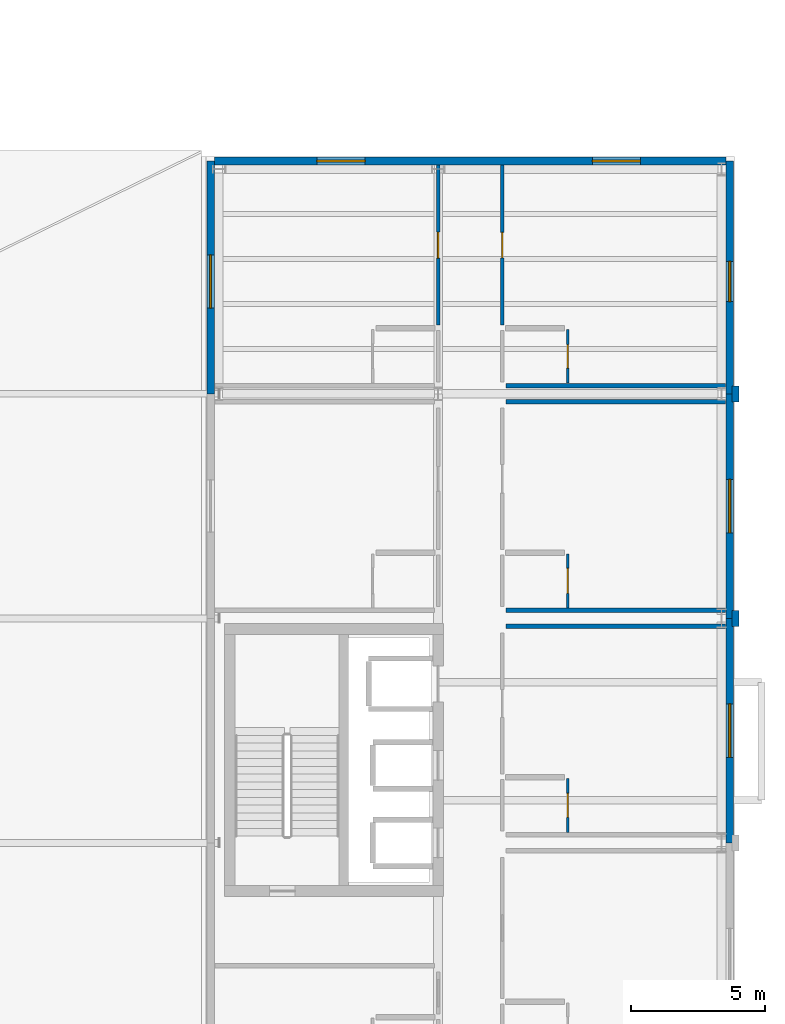
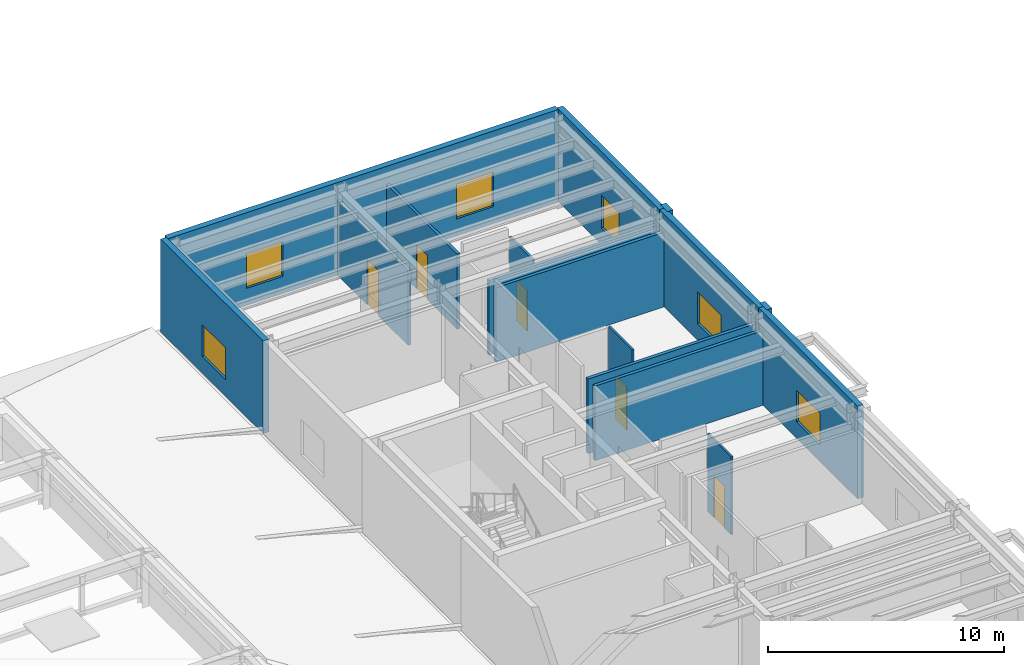
# One storey, part 81 of 91: 16 walls, 6 windows, 5 doors, 11 openings.
"""IFC4 building model written with IfcOpenShell, lengths in metres."""

from ifc_helpers import new_model, si_unit, direction, frame, frame_2d, origin, place, context, subcontext, project, spatial, rectangle, extrude, material, layer, layer_set, type_object, element, fill, save


model = new_model("IFC4")

# Units and contexts
model_context = context("Model", 3, precision=1e-05, world=origin(), true_north=direction((0.0, 1.0)))
body_context = subcontext(model_context, "Body", "Model", "MODEL_VIEW")
ifc_project = project(units=[si_unit("LENGTHUNIT", "METRE"), si_unit("AREAUNIT", "SQUARE_METRE"), si_unit("VOLUMEUNIT", "CUBIC_METRE"), si_unit("PLANEANGLEUNIT", "RADIAN"), si_unit("MASSUNIT", "GRAM", prefix="KILO")], contexts=[model_context])

# Site, building, storey
site_placement = place(None, origin())
site = spatial("IfcSite", under=ifc_project, at=site_placement, CompositionType="ELEMENT")
building_placement = place(site_placement, origin())
building = spatial("IfcBuilding", under=site, at=building_placement, Name="Sollismere Congress Hotel", CompositionType="ELEMENT")
storey_placement = place(building_placement, frame((0.0, 0.0, 10.800048828125)))
storey = spatial("IfcBuildingStorey", under=building, at=storey_placement, Name="L02", CompositionType="ELEMENT", Elevation=10.800048828125)

# Wall, opening, window
ifc_material_1 = material(Name="Colorado Buff Sandstone Rainscreen on Insulated Backup", Category="masonry")
ifc_layer_1 = layer(ifc_material_1, 0.284912109375, Name="Colorado Buff Sandstone Rainscreen on Insulated Backup")
ifc_layer_set_1 = layer_set([ifc_layer_1], Name="Colorado Buff Sandstone Rainscreen on Insulated Backup")
wall_type_1 = type_object("IfcWallType", Name="WL-EXT285", PredefinedType="STANDARD", material=ifc_layer_set_1)
wall_1_placement = place(storey_placement, frame((166.31005859375, 41.60009765625, 0.0), z_axis=(0.0, 0.0, 1.0), x_axis=(0.0, 1.0, 0.0)))
wall_1 = element("IfcWall", 1, at=wall_1_placement, inside=storey, type_object=wall_type_1, Name="Exterior wall EW-L02-364", PredefinedType="STANDARD", context=body_context, shape_type="SweptSolid", body=[
    extrude(rectangle(XDim=8.39990234375, YDim=0.284912109375, at=frame_2d((4.199951171875, 0.0))), origin(), (0.0, 0.0, 1.0), 4.800048828125),
])
opening_1_placement = place(wall_1_placement, frame((3.199951171875, 0.0, 0.85009765625)))
opening_1 = element("IfcOpeningElement", 2, at=opening_1_placement, cuts=wall_1, Name="Opening W-L02-288", PredefinedType="OPENING", context=body_context, shape_type="SweptSolid", body=[
    extrude(rectangle(XDim=2.0, YDim=1.64990234375, at=frame_2d((1.0, 0.824951171875))), frame((0.0, 0.15234375, 0.0), z_axis=(0.0, -1.0, 0.0), x_axis=(1.0, 0.0, 0.0)), (0.0, 0.0, 1.0), 0.304931640625),
])
ifc_material_2 = material(Name="Thermally Broken Bronze Aluminum & Low-E Glass", Category="aluminium")
window_type_1 = type_object("IfcWindowType", Name="WN-P200x165", PartitioningType="SINGLE_PANEL", PredefinedType="WINDOW", material=ifc_material_2)
window_1_placement = place(opening_1_placement, origin())
window_1 = element("IfcWindow", 3, at=window_1_placement, inside=storey, type_object=window_type_1, Name="WIN-W-L02-288", OverallHeight=1.64990234375, OverallWidth=2.0, PartitioningType="SINGLE_PANEL", PredefinedType="WINDOW", context=body_context, shape_type="SweptSolid", body=[
    extrude(rectangle(XDim=2.0, YDim=1.64990234375, at=frame_2d((1.0, 0.824951171875))), frame((0.0, 0.030029296875, 0.0), z_axis=(0.0, -1.0, 0.0), x_axis=(1.0, 0.0, 0.0)), (0.0, 0.0, 1.0), 0.06005859375),
])
fill(opening_1, window_1)

wall_2_placement = place(storey_placement, frame((166.31005859375, 50.0, 0.0), z_axis=(0.0, 0.0, 1.0), x_axis=(0.0, 1.0, 0.0)))
wall_2 = element("IfcWall", 4, at=wall_2_placement, inside=storey, type_object=wall_type_1, Name="Exterior wall EW-L02-366", PredefinedType="STANDARD", context=body_context, shape_type="SweptSolid", body=[
    extrude(rectangle(XDim=8.39990234375, YDim=0.284912109375, at=frame_2d((4.199951171875, 0.0))), origin(), (0.0, 0.0, 1.0), 4.800048828125),
])
opening_2_placement = place(wall_2_placement, frame((3.199951171875, 0.0, 0.85009765625)))
opening_2 = element("IfcOpeningElement", 5, at=opening_2_placement, cuts=wall_2, Name="Opening W-L02-289", PredefinedType="OPENING", context=body_context, shape_type="SweptSolid", body=[
    extrude(rectangle(XDim=2.0, YDim=1.64990234375, at=frame_2d((1.0, 0.824951171875))), frame((0.0, 0.15234375, 0.0), z_axis=(0.0, -1.0, 0.0), x_axis=(1.0, 0.0, 0.0)), (0.0, 0.0, 1.0), 0.304931640625),
])
window_2_placement = place(opening_2_placement, origin())
window_2 = element("IfcWindow", 6, at=window_2_placement, inside=storey, type_object=window_type_1, Name="WIN-W-L02-289", OverallHeight=1.64990234375, OverallWidth=2.0, PartitioningType="SINGLE_PANEL", PredefinedType="WINDOW", context=body_context, shape_type="SweptSolid", body=[
    extrude(rectangle(XDim=2.0, YDim=1.64990234375, at=frame_2d((1.0, 0.824951171875))), frame((0.0, 0.030029296875, 0.0), z_axis=(0.0, -1.0, 0.0), x_axis=(1.0, 0.0, 0.0)), (0.0, 0.0, 1.0), 0.06005859375),
])
fill(opening_2, window_2)

wall_3_placement = place(storey_placement, frame((166.31005859375, 58.39990234375, 0.0), z_axis=(0.0, 0.0, 1.0), x_axis=(0.0, 1.0, 0.0)))
wall_3 = element("IfcWall", 7, at=wall_3_placement, inside=storey, type_object=wall_type_1, Name="Exterior wall EW-L02-368", PredefinedType="STANDARD", context=body_context, shape_type="SweptSolid", body=[
    extrude(rectangle(XDim=8.710205078125, YDim=0.284912109375, at=frame_2d((4.35498046875, 0.0))), origin(), (0.0, 0.0, 1.0), 4.800048828125),
])
opening_3_placement = place(wall_3_placement, frame((3.449951171875, 0.0, 0.85009765625)))
opening_3 = element("IfcOpeningElement", 8, at=opening_3_placement, cuts=wall_3, Name="Opening W-L02-290", PredefinedType="OPENING", context=body_context, shape_type="SweptSolid", body=[
    extrude(rectangle(XDim=1.5, YDim=1.699951171875, at=frame_2d((0.75, 0.85009765625))), frame((0.0, 0.15234375, 0.0), z_axis=(0.0, -1.0, 0.0), x_axis=(1.0, 0.0, 0.0)), (0.0, 0.0, 1.0), 0.304931640625),
])
window_type_2 = type_object("IfcWindowType", Name="WN-P150x170", PartitioningType="SINGLE_PANEL", PredefinedType="WINDOW", material=ifc_material_2)
window_3_placement = place(opening_3_placement, origin())
window_3 = element("IfcWindow", 9, at=window_3_placement, inside=storey, type_object=window_type_2, Name="WIN-W-L02-290", OverallHeight=1.699951171875, OverallWidth=1.5, PartitioningType="SINGLE_PANEL", PredefinedType="WINDOW", context=body_context, shape_type="SweptSolid", body=[
    extrude(rectangle(XDim=1.5, YDim=1.699951171875, at=frame_2d((0.75, 0.85009765625))), frame((0.0, 0.030029296875, 0.0), z_axis=(0.0, -1.0, 0.0), x_axis=(1.0, 0.0, 0.0)), (0.0, 0.0, 1.0), 0.06005859375),
])
fill(opening_3, window_3)

wall_4_placement = place(storey_placement, frame((146.889892578125, 58.39990234375, 0.0), z_axis=(0.0, 0.0, 1.0), x_axis=(0.0, 1.0, 0.0)))
wall_4 = element("IfcWall", 10, at=wall_4_placement, inside=storey, type_object=wall_type_1, Name="Exterior wall EW-L02-386", PredefinedType="STANDARD", context=body_context, shape_type="SweptSolid", body=[
    extrude(rectangle(XDim=8.710205078125, YDim=0.284912109375, at=frame_2d((4.35498046875, 0.0))), origin(), (0.0, 0.0, 1.0), 4.800048828125),
])
opening_4_placement = place(wall_4_placement, frame((3.199951171875, 0.0, 0.85009765625)))
opening_4 = element("IfcOpeningElement", 11, at=opening_4_placement, cuts=wall_4, Name="Opening W-L02-304", PredefinedType="OPENING", context=body_context, shape_type="SweptSolid", body=[
    extrude(rectangle(XDim=2.0, YDim=1.64990234375, at=frame_2d((1.0, 0.824951171875))), frame((0.0, 0.15234375, 0.0), z_axis=(0.0, -1.0, 0.0), x_axis=(1.0, 0.0, 0.0)), (0.0, 0.0, 1.0), 0.304931640625),
])
window_4_placement = place(opening_4_placement, origin())
window_4 = element("IfcWindow", 12, at=window_4_placement, inside=storey, type_object=window_type_1, Name="WIN-W-L02-304", OverallHeight=1.64990234375, OverallWidth=2.0, PartitioningType="SINGLE_PANEL", PredefinedType="WINDOW", context=body_context, shape_type="SweptSolid", body=[
    extrude(rectangle(XDim=2.0, YDim=1.64990234375, at=frame_2d((1.0, 0.824951171875))), frame((0.0, 0.030029296875, 0.0), z_axis=(0.0, -1.0, 0.0), x_axis=(1.0, 0.0, 0.0)), (0.0, 0.0, 1.0), 0.06005859375),
])
fill(opening_4, window_4)

# Wall, openings, windows
wall_5_placement = place(storey_placement, frame((166.16552734375, 67.110107421875, 0.0), z_axis=(0.0, 0.0, 1.0), x_axis=(-1.0, 0.0, 0.0)))
wall_5 = element("IfcWall", 13, at=wall_5_placement, inside=storey, type_object=wall_type_1, Name="Exterior wall EW-L02-389", PredefinedType="STANDARD", context=body_context, shape_type="SweptSolid", body=[
    extrude(rectangle(XDim=19.131103515625, YDim=0.284912109375, at=frame_2d((9.5654296875, 0.0))), origin(), (0.0, 0.0, 1.0), 4.800048828125),
])
opening_5_placement = place(wall_5_placement, frame((3.199951171875, 0.0, 0.8798828125)))
opening_5 = element("IfcOpeningElement", 14, at=opening_5_placement, cuts=wall_5, Name="Opening W-L02-307", PredefinedType="OPENING", context=body_context, shape_type="SweptSolid", body=[
    extrude(rectangle(XDim=1.800048828125, YDim=1.800048828125, at=frame_2d((0.89990234375, 0.89990234375))), frame((0.0, 0.15234375, 0.0), z_axis=(0.0, -1.0, 0.0), x_axis=(1.0, 0.0, 0.0)), (0.0, 0.0, 1.0), 0.304931640625),
])
opening_6_placement = place(wall_5_placement, frame((13.5, 0.0, 0.8798828125)))
opening_6 = element("IfcOpeningElement", 15, at=opening_6_placement, cuts=wall_5, Name="Opening W-L02-308", PredefinedType="OPENING", context=body_context, shape_type="SweptSolid", body=[
    extrude(rectangle(XDim=1.800048828125, YDim=1.800048828125, at=frame_2d((0.89990234375, 0.89990234375))), frame((0.0, 0.15234375, 0.0), z_axis=(0.0, -1.0, 0.0), x_axis=(1.0, 0.0, 0.0)), (0.0, 0.0, 1.0), 0.304931640625),
])
window_type_3 = type_object("IfcWindowType", Name="WN-P180x180", PartitioningType="SINGLE_PANEL", PredefinedType="WINDOW", material=ifc_material_2)
window_5_placement = place(opening_5_placement, origin())
window_5 = element("IfcWindow", 16, at=window_5_placement, inside=storey, type_object=window_type_3, Name="WIN-W-L02-307", OverallHeight=1.800048828125, OverallWidth=1.800048828125, PartitioningType="SINGLE_PANEL", PredefinedType="WINDOW", context=body_context, shape_type="SweptSolid", body=[
    extrude(rectangle(XDim=1.800048828125, YDim=1.800048828125, at=frame_2d((0.89990234375, 0.89990234375))), frame((0.0, 0.030029296875, 0.0), z_axis=(0.0, -1.0, 0.0), x_axis=(1.0, 0.0, 0.0)), (0.0, 0.0, 1.0), 0.06005859375),
])
fill(opening_5, window_5)
window_6_placement = place(opening_6_placement, origin())
window_6 = element("IfcWindow", 17, at=window_6_placement, inside=storey, type_object=window_type_3, Name="WIN-W-L02-308", OverallHeight=1.800048828125, OverallWidth=1.800048828125, PartitioningType="SINGLE_PANEL", PredefinedType="WINDOW", context=body_context, shape_type="SweptSolid", body=[
    extrude(rectangle(XDim=1.800048828125, YDim=1.800048828125, at=frame_2d((0.89990234375, 0.89990234375))), frame((0.0, 0.030029296875, 0.0), z_axis=(0.0, -1.0, 0.0), x_axis=(1.0, 0.0, 0.0)), (0.0, 0.0, 1.0), 0.06005859375),
])
fill(opening_6, window_6)

# Walls
ifc_material_3 = material(Name="Carved Travertine Pilaster & Frieze Assembly", Category="masonry")
ifc_layer_2 = layer(ifc_material_3, 0.260009765625, Name="Carved Travertine Pilaster & Frieze Assembly")
ifc_layer_set_2 = layer_set([ifc_layer_2], Name="Carved Travertine Pilaster & Frieze Assembly")
wall_type_2 = type_object("IfcWallType", Name="WL-PIL280", PredefinedType="ELEMENTEDWALL", material=ifc_layer_set_2)
wall_6_placement = place(storey_placement, frame((166.52001953125, 49.699951171875, 0.0), z_axis=(0.0, 0.0, 1.0), x_axis=(0.0, 1.0, 0.0)))
element("IfcWall", 18, at=wall_6_placement, inside=storey, type_object=wall_type_2, Name="Exterior wall EW-L02-367", PredefinedType="ELEMENTEDWALL", context=body_context, shape_type="SweptSolid", body=[
    extrude(rectangle(XDim=0.60009765625, YDim=0.260009765625, at=frame_2d((0.300048828125, 0.0))), origin(), (0.0, 0.0, 1.0), 4.800048828125),
])
wall_7_placement = place(storey_placement, frame((166.52001953125, 58.10009765625, 0.0), z_axis=(0.0, 0.0, 1.0), x_axis=(0.0, 1.0, 0.0)))
element("IfcWall", 19, at=wall_7_placement, inside=storey, type_object=wall_type_2, Name="Exterior wall EW-L02-369", PredefinedType="ELEMENTEDWALL", context=body_context, shape_type="SweptSolid", body=[
    extrude(rectangle(XDim=0.599853515625, YDim=0.260009765625, at=frame_2d((0.2998046875, 0.0))), origin(), (0.0, 0.0, 1.0), 4.800048828125),
])

# Wall, opening, door
ifc_material_4 = material(Name="Moisture-Resistant Gypsum Partition")
ifc_layer_3 = layer(ifc_material_4, 0.10009765625, Name="Moisture-Resistant Gypsum Partition")
ifc_layer_set_3 = layer_set([ifc_layer_3], Name="Moisture-Resistant Gypsum Partition")
wall_type_3 = type_object("IfcWallType", Name="WL-PRT100", PredefinedType="PARTITIONING", material=ifc_layer_set_3)
wall_8_placement = place(storey_placement, frame((160.25, 41.994384765625, 0.0), z_axis=(0.0, 0.0, 1.0), x_axis=(0.0, 1.0, 0.0)))
wall_8 = element("IfcWall", 20, at=wall_8_placement, inside=storey, type_object=wall_type_3, Name="Interior wall IW-L02-1174", PredefinedType="PARTITIONING", context=body_context, shape_type="SweptSolid", body=[
    extrude(rectangle(XDim=2.015625, YDim=0.10009765625, at=frame_2d((1.0078125, 0.0))), origin(), (0.0, 0.0, 1.0), 4.02783203125),
])
opening_7_placement = place(wall_8_placement, frame((0.554931640625, 0.0, 0.0)))
opening_7 = element("IfcOpeningElement", 21, at=opening_7_placement, cuts=wall_8, Name="Opening D-L02-0414", PredefinedType="OPENING", context=body_context, shape_type="SweptSolid", body=[
    extrude(rectangle(XDim=0.905029296875, YDim=2.179931640625, at=frame_2d((0.45263671875, 1.08984375))), frame((0.0, 0.06005859375, 0.0), z_axis=(0.0, -1.0, 0.0), x_axis=(1.0, 0.0, 0.0)), (0.0, 0.0, 1.0), 0.1201171875),
])
ifc_material_5 = material(Name="Moisture-Sealed Timber Bathroom Door", Category="wood")
door_type_1 = type_object("IfcDoorType", Name="DR-BT06", OperationType="NOTDEFINED", PredefinedType="DOOR", material=ifc_material_5)
door_1_placement = place(opening_7_placement, origin())
door_1 = element("IfcDoor", 22, at=door_1_placement, inside=storey, type_object=door_type_1, Name="En-suite bathroom door D-L02-0414", OperationType="SINGLE_SWING_LEFT", OverallHeight=2.179931640625, OverallWidth=0.905029296875, PredefinedType="DOOR", context=body_context, shape_type="SweptSolid", body=[
    extrude(rectangle(XDim=0.905029296875, YDim=2.179931640625, at=frame_2d((0.45263671875, 1.08984375))), frame((0.0, 0.02490234375, 0.0), z_axis=(0.0, -1.0, 0.0), x_axis=(1.0, 0.0, 0.0)), (0.0, 0.0, 1.0), 0.050048828125),
])
fill(opening_7, door_1)

wall_9_placement = place(storey_placement, frame((160.25, 50.39453125, 0.0), z_axis=(0.0, 0.0, 1.0), x_axis=(0.0, 1.0, 0.0)))
wall_9 = element("IfcWall", 23, at=wall_9_placement, inside=storey, type_object=wall_type_3, Name="Interior wall IW-L02-1180", PredefinedType="PARTITIONING", context=body_context, shape_type="SweptSolid", body=[
    extrude(rectangle(XDim=2.015380859375, YDim=0.10009765625, at=frame_2d((1.0078125, 0.0))), origin(), (0.0, 0.0, 1.0), 4.474853515625),
])
opening_8_placement = place(wall_9_placement, frame((0.54296875, 0.0, 0.0)))
opening_8 = element("IfcOpeningElement", 24, at=opening_8_placement, cuts=wall_9, Name="Opening D-L02-0416", PredefinedType="OPENING", context=body_context, shape_type="SweptSolid", body=[
    extrude(rectangle(XDim=0.929931640625, YDim=2.219970703125, at=frame_2d((0.46484375, 1.10986328125))), frame((0.0, 0.06005859375, 0.0), z_axis=(0.0, -1.0, 0.0), x_axis=(1.0, 0.0, 0.0)), (0.0, 0.0, 1.0), 0.1201171875),
])
door_type_2 = type_object("IfcDoorType", Name="DR-BT07", OperationType="NOTDEFINED", PredefinedType="DOOR", material=ifc_material_5)
door_2_placement = place(opening_8_placement, origin())
door_2 = element("IfcDoor", 25, at=door_2_placement, inside=storey, type_object=door_type_2, Name="En-suite bathroom door D-L02-0416", OperationType="SINGLE_SWING_LEFT", OverallHeight=2.219970703125, OverallWidth=0.929931640625, PredefinedType="DOOR", context=body_context, shape_type="SweptSolid", body=[
    extrude(rectangle(XDim=0.929931640625, YDim=2.219970703125, at=frame_2d((0.46484375, 1.10986328125))), frame((0.0, 0.02490234375, 0.0), z_axis=(0.0, -1.0, 0.0), x_axis=(1.0, 0.0, 0.0)), (0.0, 0.0, 1.0), 0.050048828125),
])
fill(opening_8, door_2)

wall_10_placement = place(storey_placement, frame((160.25, 58.79443359375, 0.0), z_axis=(0.0, 0.0, 1.0), x_axis=(0.0, 1.0, 0.0)))
wall_10 = element("IfcWall", 26, at=wall_10_placement, inside=storey, type_object=wall_type_3, Name="Interior wall IW-L02-1191", PredefinedType="PARTITIONING", context=body_context, shape_type="SweptSolid", body=[
    extrude(rectangle(XDim=2.015625, YDim=0.10009765625, at=frame_2d((1.0078125, 0.0))), origin(), (0.0, 0.0, 1.0), 4.032958984375),
])
opening_9_placement = place(wall_10_placement, frame((0.568115234375, 0.0, 0.0)))
opening_9 = element("IfcOpeningElement", 27, at=opening_9_placement, cuts=wall_10, Name="Opening D-L02-0420", PredefinedType="OPENING", context=body_context, shape_type="SweptSolid", body=[
    extrude(rectangle(XDim=0.8798828125, YDim=2.10009765625, at=frame_2d((0.43994140625, 1.050048828125))), frame((0.0, 0.06005859375, 0.0), z_axis=(0.0, -1.0, 0.0), x_axis=(1.0, 0.0, 0.0)), (0.0, 0.0, 1.0), 0.1201171875),
])
door_type_3 = type_object("IfcDoorType", Name="DR-BT01", OperationType="NOTDEFINED", PredefinedType="DOOR", material=ifc_material_5)
door_3_placement = place(opening_9_placement, origin())
door_3 = element("IfcDoor", 28, at=door_3_placement, inside=storey, type_object=door_type_3, Name="En-suite bathroom door D-L02-0420", OperationType="SINGLE_SWING_LEFT", OverallHeight=2.10009765625, OverallWidth=0.8798828125, PredefinedType="DOOR", context=body_context, shape_type="SweptSolid", body=[
    extrude(rectangle(XDim=0.8798828125, YDim=2.10009765625, at=frame_2d((0.43994140625, 1.050048828125))), frame((0.0, 0.02490234375, 0.0), z_axis=(0.0, -1.0, 0.0), x_axis=(1.0, 0.0, 0.0)), (0.0, 0.0, 1.0), 0.050048828125),
])
fill(opening_9, door_3)

ifc_material_6 = material(Name="Fire-Rated Gypsum Partition")
ifc_layer_4 = layer(ifc_material_6, 0.139892578125, Name="Fire-Rated Gypsum Partition")
ifc_layer_set_4 = layer_set([ifc_layer_4], Name="Fire-Rated Gypsum Partition")
wall_type_4 = type_object("IfcWallType", Name="WL-PRT140R", PredefinedType="PARTITIONING", material=ifc_layer_set_4)
wall_11_placement = place(storey_placement, frame((157.800048828125, 60.969970703125, 0.0), z_axis=(0.0, 0.0, 1.0), x_axis=(0.0, 1.0, 0.0)))
wall_11 = element("IfcWall", 29, at=wall_11_placement, inside=storey, type_object=wall_type_4, Name="Interior wall IW-L02-1188", PredefinedType="PARTITIONING", context=body_context, shape_type="SweptSolid", body=[
    extrude(rectangle(XDim=5.982421875, YDim=0.139892578125, at=frame_2d((2.9912109375, 0.0))), origin(), (0.0, 0.0, 1.0), 3.887939453125),
])
opening_10_placement = place(wall_11_placement, frame((2.51611328125, 0.0, 0.0)))
opening_10 = element("IfcOpeningElement", 30, at=opening_10_placement, cuts=wall_11, Name="Opening D-L02-0419", PredefinedType="OPENING", context=body_context, shape_type="SweptSolid", body=[
    extrude(rectangle(XDim=0.949951171875, YDim=2.300048828125, at=frame_2d((0.47509765625, 1.14990234375))), frame((0.0, 0.079833984375, 0.0), z_axis=(0.0, -1.0, 0.0), x_axis=(1.0, 0.0, 0.0)), (0.0, 0.0, 1.0), 0.159912109375),
])
ifc_material_7 = material(Name="Solid-Core Acoustic Walnut Guestroom Entry Door")
door_type_4 = type_object("IfcDoorType", Name="DR-KY08", OperationType="NOTDEFINED", PredefinedType="DOOR", material=ifc_material_7)
door_4_placement = place(opening_10_placement, origin())
door_4 = element("IfcDoor", 31, at=door_4_placement, inside=storey, type_object=door_type_4, Name="Hotel room entry door D-L02-0419", OperationType="SINGLE_SWING_RIGHT", OverallHeight=2.300048828125, OverallWidth=0.949951171875, PredefinedType="DOOR", context=body_context, shape_type="SweptSolid", body=[
    extrude(rectangle(XDim=0.949951171875, YDim=2.300048828125, at=frame_2d((0.47509765625, 1.14990234375))), frame((0.0, 0.02490234375, 0.0), z_axis=(0.0, -1.0, 0.0), x_axis=(1.0, 0.0, 0.0)), (0.0, 0.0, 1.0), 0.050048828125),
])
fill(opening_10, door_4)

wall_12_placement = place(storey_placement, frame((155.39990234375, 60.969970703125, 0.0), z_axis=(0.0, 0.0, 1.0), x_axis=(0.0, 1.0, 0.0)))
wall_12 = element("IfcWall", 32, at=wall_12_placement, inside=storey, type_object=wall_type_4, Name="Interior wall IW-L02-1193", PredefinedType="PARTITIONING", context=body_context, shape_type="SweptSolid", body=[
    extrude(rectangle(XDim=5.982421875, YDim=0.139892578125, at=frame_2d((2.9912109375, 0.0))), origin(), (0.0, 0.0, 1.0), 3.887939453125),
])
opening_11_placement = place(wall_12_placement, frame((2.5009765625, 0.0, 0.0)))
opening_11 = element("IfcOpeningElement", 33, at=opening_11_placement, cuts=wall_12, Name="Opening D-L02-0421", PredefinedType="OPENING", context=body_context, shape_type="SweptSolid", body=[
    extrude(rectangle(XDim=0.97998046875, YDim=2.35009765625, at=frame_2d((0.489990234375, 1.175048828125))), frame((0.0, 0.079833984375, 0.0), z_axis=(0.0, -1.0, 0.0), x_axis=(1.0, 0.0, 0.0)), (0.0, 0.0, 1.0), 0.159912109375),
])
door_type_5 = type_object("IfcDoorType", Name="DR-KY09", OperationType="NOTDEFINED", PredefinedType="DOOR", material=ifc_material_7)
door_5_placement = place(opening_11_placement, origin())
door_5 = element("IfcDoor", 34, at=door_5_placement, inside=storey, type_object=door_type_5, Name="Hotel room entry door D-L02-0421", OperationType="SINGLE_SWING_RIGHT", OverallHeight=2.35009765625, OverallWidth=0.97998046875, PredefinedType="DOOR", context=body_context, shape_type="SweptSolid", body=[
    extrude(rectangle(XDim=0.97998046875, YDim=2.35009765625, at=frame_2d((0.489990234375, 1.175048828125))), frame((0.0, 0.02490234375, 0.0), z_axis=(0.0, -1.0, 0.0), x_axis=(1.0, 0.0, 0.0)), (0.0, 0.0, 1.0), 0.050048828125),
])
fill(opening_11, door_5)

# Walls
ifc_material_8 = material(Name="Fire-Rated Acoustic Gypsum Partition")
ifc_layer_5 = layer(ifc_material_8, 0.1650390625, Name="Fire-Rated Acoustic Gypsum Partition")
ifc_layer_set_5 = layer_set([ifc_layer_5], Name="Fire-Rated Acoustic Gypsum Partition")
wall_type_5 = type_object("IfcWallType", Name="WL-PRT165R", PredefinedType="PARTITIONING", material=ifc_layer_set_5)
for number, where, z_axis, x_axis, name in (
    (35, (157.93994140625, 49.699951171875, 0.0), (0.0, 0.0, 1.0), (1.0, 0.0, 0.0), "Interior wall IW-L02-1172"),
    (36, (157.93994140625, 50.300048828125, 0.0), (0.0, 0.0, 1.0), (1.0, 0.0, 0.0), "Interior wall IW-L02-1177"),
    (37, (157.93994140625, 58.10009765625, 0.0), (0.0, 0.0, 1.0), (1.0, 0.0, 0.0), "Interior wall IW-L02-1178"),
    (38, (157.93994140625, 58.699951171875, 0.0), (0.0, 0.0, 1.0), (1.0, 0.0, 0.0), "Interior wall IW-L02-1189"),
):
    element("IfcWall", number, at=place(storey_placement, frame(where, z_axis=z_axis, x_axis=x_axis)), inside=storey, type_object=wall_type_5, Name=name, PredefinedType="PARTITIONING", context=body_context, shape_type="SweptSolid", body=[
        extrude(rectangle(XDim=8.212646484375, YDim=0.1650390625, at=frame_2d((4.1064453125, 0.0))), origin(), (0.0, 0.0, 1.0), 3.864990234375),
    ])

save(model, "model.ifc")
